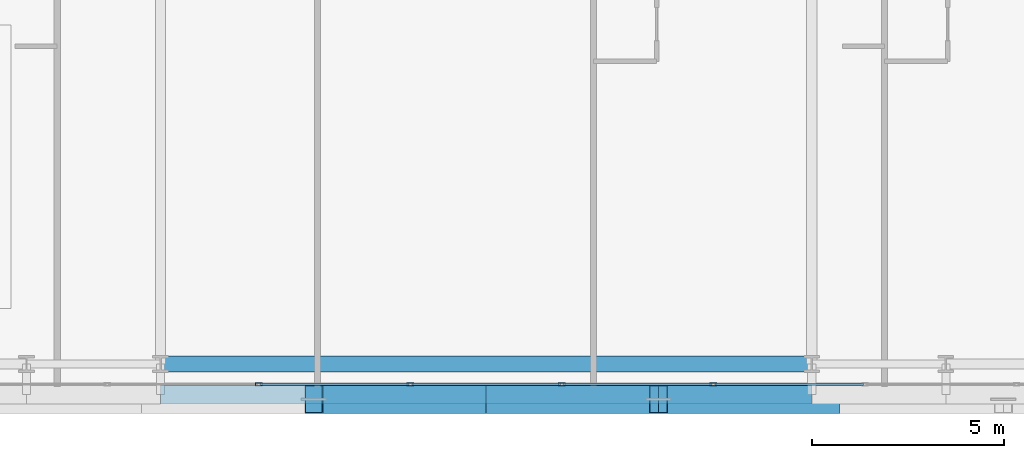
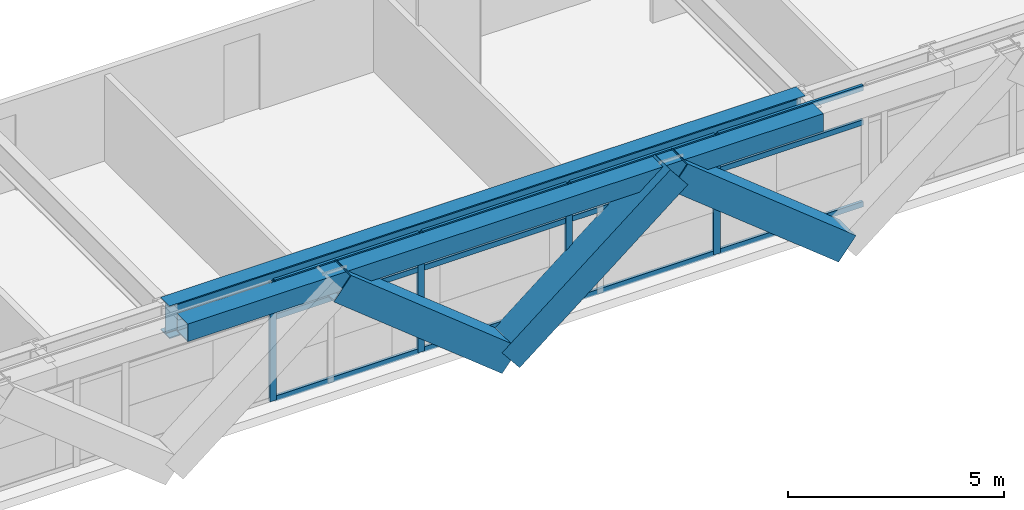
# One storey, part 5 of 35: 19 members, 2 beams, 1 element without a shape of its own.
"""IFC4 building model written with IfcOpenShell, lengths in metres."""

from ifc_helpers import new_model, si_unit, direction, frame, origin, origin_2d, place, context, subcontext, project, spatial, hollow_rectangle, i_section, extrude, source, transform, mapped, material, layer, layer_set, material_profile, profile_set, type_object, element, aggregate, save


model = new_model("IFC4")

# Units and contexts
model_context = context("Model", 3, precision=1e-05, world=origin(), true_north=direction((0.0, 1.0)))
body_context = subcontext(model_context, "Body", "Model", "MODEL_VIEW")
ifc_project = project(units=[si_unit("LENGTHUNIT", "METRE"), si_unit("AREAUNIT", "SQUARE_METRE"), si_unit("VOLUMEUNIT", "CUBIC_METRE"), si_unit("PLANEANGLEUNIT", "RADIAN"), si_unit("MASSUNIT", "GRAM", prefix="KILO")], contexts=[model_context])

# Site, building, storey
site_placement = place(None, origin())
site = spatial("IfcSite", under=ifc_project, at=site_placement, CompositionType="ELEMENT")
building_placement = place(site_placement, origin())
building = spatial("IfcBuilding", under=site, at=building_placement, Name="Ocotamira Hotel", CompositionType="ELEMENT")
storey_placement = place(building_placement, frame((0.0, 0.0, 140.39990234375)))
storey = spatial("IfcBuildingStorey", under=building, at=storey_placement, Name="L35", CompositionType="ELEMENT", Elevation=140.39990234375)

# Beams
ifc_material_1 = material(Name="Steel ASTM A992 Grade 50", Category="steel")
ifc_material_profile_1 = material_profile(ifc_material_1, i_section(OverallWidth=0.41796875, OverallDepth=0.927001953125, WebThickness=0.019287109375, FlangeThickness=0.031982421875, FilletRadius=0.02392578125, at=origin_2d()), Name="W36X231")
ifc_profile_set_1 = profile_set([ifc_material_profile_1], Name="Steel ASTM A992 Grade 50")
beam_type_1 = type_object("IfcBeamType", Name="BM-GIRD-W36X231", PredefinedType="BEAM", material=ifc_profile_set_1)
shared_shape_1 = source(origin(), body_context, "Body", "SweptSolid", [
    extrude(i_section(OverallWidth=0.41796875, OverallDepth=0.927001953125, WebThickness=0.019287109375, FlangeThickness=0.031982421875, FilletRadius=0.02392578125, at=origin_2d()), origin(), (0.0, 0.0, 1.0), 17.0),
])
beam_1_placement = place(storey_placement, frame((23.5, 2.949951171875, 2.896484375), z_axis=(1.0, 0.0, 0.0), x_axis=(0.0, 1.0, 0.0)))
element("IfcBeam", 1, at=beam_1_placement, inside=storey, type_object=beam_type_1, Name="L35 Girder Y2.95 X23.5-40.5", PredefinedType="BEAM", context=body_context, shape_type="MappedRepresentation", body=[
    mapped(shared_shape_1, transform((0.0, 0.0, 0.0), scale=1.0)),
])
ifc_material_2 = material(Name="Steel ASTM A500 Grade C", Category="steel")
ifc_material_profile_2 = material_profile(ifc_material_2, hollow_rectangle(XDim=0.5, YDim=0.5, WallThickness=0.02001953125, at=origin_2d()), Name="HSS500X500X20")
ifc_profile_set_2 = profile_set([ifc_material_profile_2], Name="Steel ASTM A500 Grade C")
beam_type_2 = type_object("IfcBeamType", Name="BM-SPAN-HSS500", PredefinedType="USERDEFINED", material=ifc_profile_set_2)
shared_shape_2 = source(origin(), body_context, "Body", "SweptSolid", [
    extrude(hollow_rectangle(XDim=0.5, YDim=0.5, WallThickness=0.02001953125, at=origin_2d()), origin(), (0.0, 0.0, 1.0), 17.0),
])
beam_2_placement = place(storey_placement, frame((23.5, 2.14990234375, 3.110107421875), z_axis=(1.0, 0.0, 0.0), x_axis=(0.0, 1.0, 0.0)))
element("IfcBeam", 2, at=beam_2_placement, inside=storey, type_object=beam_type_2, Name="L35 Edge Spandrel S X23.5-40.5", ObjectType="SPANDREL", PredefinedType="USERDEFINED", context=body_context, shape_type="MappedRepresentation", body=[
    mapped(shared_shape_2, transform((0.0, 0.0, 0.0), scale=1.0)),
])

# Members
ifc_material_3 = material(Name="Pale-metal coated steel ASTM A913 Grade 65", Category="steel")
ifc_material_profile_3 = material_profile(ifc_material_3, hollow_rectangle(XDim=0.75, YDim=0.75, WallThickness=0.028076171875, at=origin_2d()), Name="BOX750X750X28")
ifc_profile_set_3 = profile_set([ifc_material_profile_3], Name="Pale-metal coated steel ASTM A913 Grade 65")
member_type_1 = type_object("IfcMemberType", Name="MEM-EXO-BOX750", PredefinedType="BRACE", material=ifc_profile_set_3)
shared_shape_3 = source(origin(), body_context, "Body", "SweptSolid", [
    extrude(hollow_rectangle(XDim=0.75, YDim=0.75, WallThickness=0.028076171875, at=origin_2d()), origin(), (0.0, 0.0, 1.0), 5.762939453125),
])
for number, where, z_axis, x_axis, name in (
    (3, (32.0, 2.030029296875, -0.489990234375), (-0.780860543151, 0.0, 0.624705380279), (0.0, -1.0, 0.0), "L35 Exoskeleton Diagrid S1.2"),
    (4, (32.0, 2.030029296875, -0.489990234375), (0.780860543151, 0.0, 0.624705380279), (0.0, 1.0, 0.0), "L35 Exoskeleton Diagrid S2.1"),
    (5, (41.0, 2.030029296875, -0.489990234375), (-0.780860543151, 0.0, 0.624705380279), (0.0, -1.0, 0.0), "L35 Exoskeleton Diagrid S2.2"),
):
    element("IfcMember", number, at=place(storey_placement, frame(where, z_axis=z_axis, x_axis=x_axis)), inside=storey, type_object=member_type_1, Name=name, PredefinedType="BRACE", context=body_context, shape_type="MappedRepresentation", body=[
        mapped(shared_shape_3, transform((0.0, 0.0, 0.0), scale=1.0)),
    ])

# Curtain wall, members
ifc_material_4 = material(Name="Anodised pale-metal aluminium and solar glass", Category="aluminium")
ifc_layer = layer(ifc_material_4, 0.179931640625)
ifc_layer_set = layer_set([ifc_layer], Name="Anodised pale-metal aluminium and solar glass")
curtain_wall_type = type_object("IfcCurtainWallType", Name="CW-SYS3-Z2", PredefinedType="NOTDEFINED", material=ifc_layer_set)
curtain_wall_placement = place(storey_placement, origin())
curtain_wall = element("IfcCurtainWall", 6, at=curtain_wall_placement, inside=storey, type_object=curtain_wall_type, Name="L35 Curtain Wall CW-3 CW-L35-S1", PredefinedType="NOTDEFINED")
ifc_material_5 = material(Name="Anodised pale-metal aluminium 6063-T6", Category="aluminium")
ifc_material_profile_4 = material_profile(ifc_material_5, hollow_rectangle(XDim=0.074951171875, YDim=0.14990234375, WallThickness=0.006103515625, at=origin_2d()), Name="HSS150X75X6")
ifc_profile_set_4 = profile_set([ifc_material_profile_4], Name="Anodised pale-metal aluminium 6063-T6")
member_type_2 = type_object("IfcMemberType", Name="CWT-150X75", PredefinedType="USERDEFINED", material=ifc_profile_set_4)
shared_shape_4 = source(origin(), body_context, "Body", "SweptSolid", [
    extrude(hollow_rectangle(XDim=0.074951171875, YDim=0.14990234375, WallThickness=0.006103515625, at=origin_2d()), origin(), (0.0, 0.0, 1.0), 3.87548828125),
])
member_1_placement = place(storey_placement, frame((26.106689453125, 2.419921875, 0.03759765625), z_axis=(1.0, 0.0, 0.0), x_axis=(0.0, 1.0, 0.0)))
member_1 = element("IfcMember", 7, at=member_1_placement, type_object=member_type_2, Name="CW-3 transom 4.1", ObjectType="TRANSOM", PredefinedType="USERDEFINED", context=body_context, shape_type="MappedRepresentation", body=[
    mapped(shared_shape_4, transform((0.0, 0.0, 0.0), scale=1.0)),
])
member_2_placement = place(storey_placement, frame((26.106689453125, 2.419921875, 2.35009765625), z_axis=(1.0, 0.0, 0.0), x_axis=(0.0, 1.0, 0.0)))
member_2 = element("IfcMember", 8, at=member_2_placement, type_object=member_type_2, Name="CW-3 transom 4.2", ObjectType="TRANSOM", PredefinedType="USERDEFINED", context=body_context, shape_type="MappedRepresentation", body=[
    mapped(shared_shape_4, transform((0.0, 0.0, 0.0), scale=1.0)),
])
member_3_placement = place(storey_placement, frame((26.106689453125, 2.419921875, 3.322509765625), z_axis=(1.0, 0.0, 0.0), x_axis=(0.0, 1.0, 0.0)))
member_3 = element("IfcMember", 9, at=member_3_placement, type_object=member_type_2, Name="CW-3 transom 4.3", ObjectType="TRANSOM", PredefinedType="USERDEFINED", context=body_context, shape_type="MappedRepresentation", body=[
    mapped(shared_shape_4, transform((0.0, 0.0, 0.0), scale=1.0)),
])
member_4_placement = place(storey_placement, frame((30.062255859375, 2.419921875, 0.03759765625), z_axis=(1.0, 0.0, 0.0), x_axis=(0.0, 1.0, 0.0)))
member_4 = element("IfcMember", 10, at=member_4_placement, type_object=member_type_2, Name="CW-3 transom 5.1", ObjectType="TRANSOM", PredefinedType="USERDEFINED", context=body_context, shape_type="MappedRepresentation", body=[
    mapped(shared_shape_4, transform((0.0, 0.0, 0.0), scale=1.0)),
])
member_5_placement = place(storey_placement, frame((30.062255859375, 2.419921875, 2.35009765625), z_axis=(1.0, 0.0, 0.0), x_axis=(0.0, 1.0, 0.0)))
member_5 = element("IfcMember", 11, at=member_5_placement, type_object=member_type_2, Name="CW-3 transom 5.2", ObjectType="TRANSOM", PredefinedType="USERDEFINED", context=body_context, shape_type="MappedRepresentation", body=[
    mapped(shared_shape_4, transform((0.0, 0.0, 0.0), scale=1.0)),
])
member_6_placement = place(storey_placement, frame((30.062255859375, 2.419921875, 3.322509765625), z_axis=(1.0, 0.0, 0.0), x_axis=(0.0, 1.0, 0.0)))
member_6 = element("IfcMember", 12, at=member_6_placement, type_object=member_type_2, Name="CW-3 transom 5.3", ObjectType="TRANSOM", PredefinedType="USERDEFINED", context=body_context, shape_type="MappedRepresentation", body=[
    mapped(shared_shape_4, transform((0.0, 0.0, 0.0), scale=1.0)),
])
member_7_placement = place(storey_placement, frame((34.017822265625, 2.419921875, 0.03759765625), z_axis=(1.0, 0.0, 0.0), x_axis=(0.0, 1.0, 0.0)))
member_7 = element("IfcMember", 13, at=member_7_placement, type_object=member_type_2, Name="CW-3 transom 6.1", ObjectType="TRANSOM", PredefinedType="USERDEFINED", context=body_context, shape_type="MappedRepresentation", body=[
    mapped(shared_shape_4, transform((0.0, 0.0, 0.0), scale=1.0)),
])
member_8_placement = place(storey_placement, frame((34.017822265625, 2.419921875, 2.35009765625), z_axis=(1.0, 0.0, 0.0), x_axis=(0.0, 1.0, 0.0)))
member_8 = element("IfcMember", 14, at=member_8_placement, type_object=member_type_2, Name="CW-3 transom 6.2", ObjectType="TRANSOM", PredefinedType="USERDEFINED", context=body_context, shape_type="MappedRepresentation", body=[
    mapped(shared_shape_4, transform((0.0, 0.0, 0.0), scale=1.0)),
])
member_9_placement = place(storey_placement, frame((34.017822265625, 2.419921875, 3.322509765625), z_axis=(1.0, 0.0, 0.0), x_axis=(0.0, 1.0, 0.0)))
member_9 = element("IfcMember", 15, at=member_9_placement, type_object=member_type_2, Name="CW-3 transom 6.3", ObjectType="TRANSOM", PredefinedType="USERDEFINED", context=body_context, shape_type="MappedRepresentation", body=[
    mapped(shared_shape_4, transform((0.0, 0.0, 0.0), scale=1.0)),
])
member_10_placement = place(storey_placement, frame((37.973388671875, 2.419921875, 0.03759765625), z_axis=(1.0, 0.0, 0.0), x_axis=(0.0, 1.0, 0.0)))
member_10 = element("IfcMember", 16, at=member_10_placement, type_object=member_type_2, Name="CW-3 transom 7.1", ObjectType="TRANSOM", PredefinedType="USERDEFINED", context=body_context, shape_type="MappedRepresentation", body=[
    mapped(shared_shape_4, transform((0.0, 0.0, 0.0), scale=1.0)),
])
member_11_placement = place(storey_placement, frame((37.973388671875, 2.419921875, 2.35009765625), z_axis=(1.0, 0.0, 0.0), x_axis=(0.0, 1.0, 0.0)))
member_11 = element("IfcMember", 17, at=member_11_placement, type_object=member_type_2, Name="CW-3 transom 7.2", ObjectType="TRANSOM", PredefinedType="USERDEFINED", context=body_context, shape_type="MappedRepresentation", body=[
    mapped(shared_shape_4, transform((0.0, 0.0, 0.0), scale=1.0)),
])
member_12_placement = place(storey_placement, frame((37.973388671875, 2.419921875, 3.322509765625), z_axis=(1.0, 0.0, 0.0), x_axis=(0.0, 1.0, 0.0)))
member_12 = element("IfcMember", 18, at=member_12_placement, type_object=member_type_2, Name="CW-3 transom 7.3", ObjectType="TRANSOM", PredefinedType="USERDEFINED", context=body_context, shape_type="MappedRepresentation", body=[
    mapped(shared_shape_4, transform((0.0, 0.0, 0.0), scale=1.0)),
])
ifc_material_profile_5 = material_profile(ifc_material_5, hollow_rectangle(XDim=0.080078125, YDim=0.179931640625, WallThickness=0.006103515625, at=origin_2d()), Name="HSS180X80X6")
ifc_profile_set_5 = profile_set([ifc_material_profile_5], Name="Anodised pale-metal aluminium 6063-T6")
member_type_3 = type_object("IfcMemberType", Name="CWM-180X75", PredefinedType="MULLION", material=ifc_profile_set_5)
shared_shape_5 = source(origin(), body_context, "Body", "SweptSolid", [
    extrude(hollow_rectangle(XDim=0.080078125, YDim=0.179931640625, WallThickness=0.006103515625, at=origin_2d()), origin(), (0.0, 0.0, 1.0), 3.360107421875),
])
member_13_placement = place(storey_placement, frame((26.066650390625, 2.419921875, 0.0), z_axis=(0.0, 0.0, 1.0), x_axis=(0.0, 1.0, 0.0)))
member_13 = element("IfcMember", 19, at=member_13_placement, type_object=member_type_3, Name="CW-3 mullion 4", PredefinedType="MULLION", context=body_context, shape_type="MappedRepresentation", body=[
    mapped(shared_shape_5, transform((0.0, 0.0, 0.0), scale=1.0)),
])
member_14_placement = place(storey_placement, frame((30.022216796875, 2.419921875, 0.0), z_axis=(0.0, 0.0, 1.0), x_axis=(0.0, 1.0, 0.0)))
member_14 = element("IfcMember", 20, at=member_14_placement, type_object=member_type_3, Name="CW-3 mullion 5", PredefinedType="MULLION", context=body_context, shape_type="MappedRepresentation", body=[
    mapped(shared_shape_5, transform((0.0, 0.0, 0.0), scale=1.0)),
])
member_15_placement = place(storey_placement, frame((33.977783203125, 2.419921875, 0.0), z_axis=(0.0, 0.0, 1.0), x_axis=(0.0, 1.0, 0.0)))
member_15 = element("IfcMember", 21, at=member_15_placement, type_object=member_type_3, Name="CW-3 mullion 6", PredefinedType="MULLION", context=body_context, shape_type="MappedRepresentation", body=[
    mapped(shared_shape_5, transform((0.0, 0.0, 0.0), scale=1.0)),
])
member_16_placement = place(storey_placement, frame((37.933349609375, 2.419921875, 0.0), z_axis=(0.0, 0.0, 1.0), x_axis=(0.0, 1.0, 0.0)))
member_16 = element("IfcMember", 22, at=member_16_placement, type_object=member_type_3, Name="CW-3 mullion 7", PredefinedType="MULLION", context=body_context, shape_type="MappedRepresentation", body=[
    mapped(shared_shape_5, transform((0.0, 0.0, 0.0), scale=1.0)),
])
aggregate(curtain_wall, [member_13, member_14, member_15, member_16, member_1, member_2, member_3, member_4, member_5, member_6, member_7, member_8, member_9, member_10, member_11, member_12])

save(model, "model.ifc")
